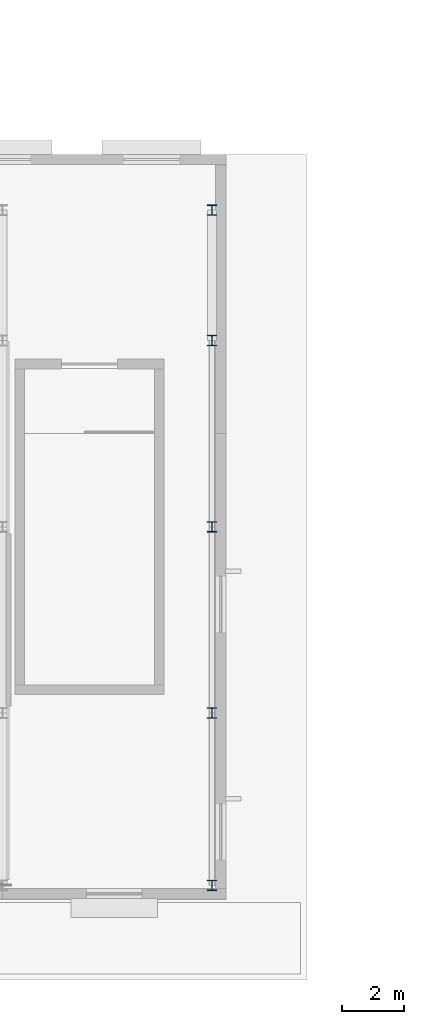
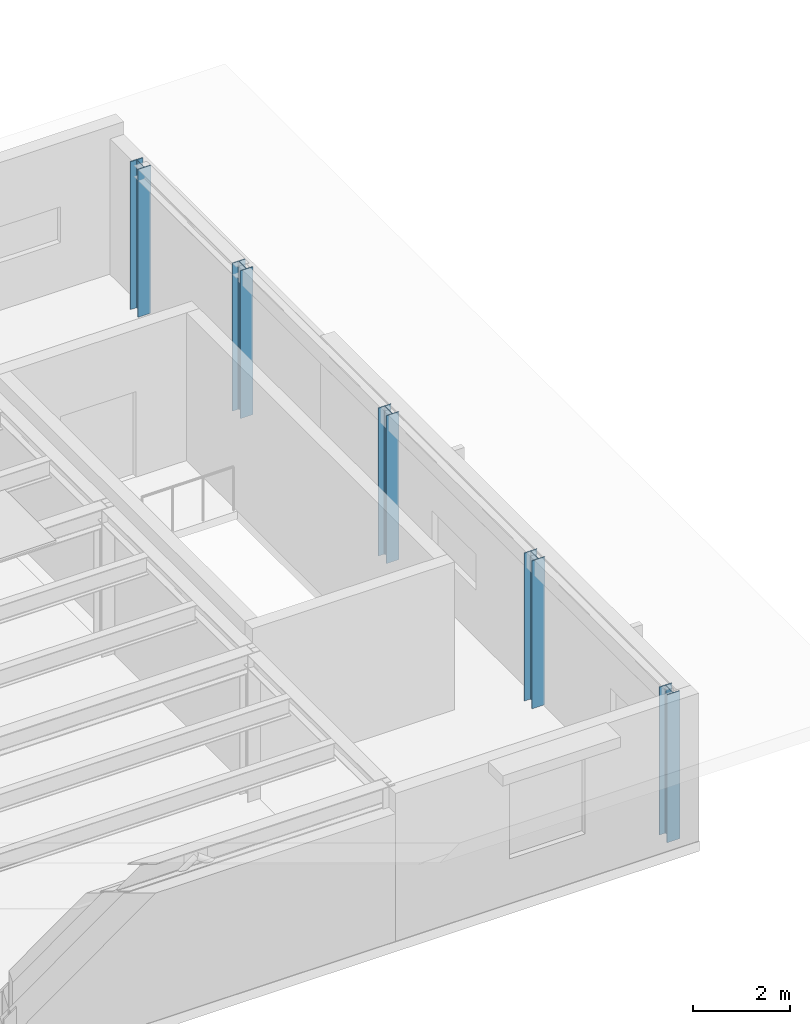
# One storey, part 2 of 10: 5 columns.
"""IFC4 building model written with IfcOpenShell, lengths in metres."""

from ifc_helpers import new_model, si_unit, direction, frame, origin, origin_2d, place, context, subcontext, project, spatial, i_section, extrude, material, material_profile, profile_set, type_object, element, save


model = new_model("IFC4")

# Units and contexts
model_context = context("Model", 3, precision=1e-05, world=origin(), true_north=direction((0.0, 1.0)))
body_context = subcontext(model_context, "Body", "Model", "MODEL_VIEW")
ifc_project = project(units=[si_unit("LENGTHUNIT", "METRE"), si_unit("AREAUNIT", "SQUARE_METRE"), si_unit("VOLUMEUNIT", "CUBIC_METRE"), si_unit("PLANEANGLEUNIT", "RADIAN"), si_unit("MASSUNIT", "GRAM", prefix="KILO")], contexts=[model_context])

# Site, building, storey
site_placement = place(None, origin())
site = spatial("IfcSite", under=ifc_project, at=site_placement, CompositionType="ELEMENT")
building_placement = place(site_placement, origin())
building = spatial("IfcBuilding", under=site, at=building_placement, Name="Kolvaren Corner Interchange", CompositionType="ELEMENT")
storey_placement = place(building_placement, frame((0.0, 0.0, 18.75)))
storey = spatial("IfcBuildingStorey", under=building, at=storey_placement, Name="L05", CompositionType="ELEMENT", Elevation=18.75)

# Columns
ifc_material = material(Name="Steel S355", Category="steel")
ifc_material_profile = material_profile(ifc_material, i_section(OverallWidth=0.300048828125, OverallDepth=0.340087890625, WebThickness=0.011962890625, FlangeThickness=0.021484375, FilletRadius=0.027099609375, at=origin_2d()), Name="HEB 340")
ifc_profile_set = profile_set([ifc_material_profile], Name="Steel S355")
column_type = type_object("IfcColumnType", Name="COL-HEB340", PredefinedType="COLUMN", material=ifc_profile_set)
for number, where, z_axis, x_axis, name in (
    (1, (35.550048828125, 0.449951171875, 0.0), (0.0, 0.0, 1.0), (1.0, 0.0, 0.0), "Storey L05 Structural Column 0191"),
    (2, (35.550048828125, 6.0, 0.0), (0.0, 0.0, 1.0), (1.0, 0.0, 0.0), "Storey L05 Structural Column 0196"),
    (3, (35.550048828125, 12.0, 0.0), (0.0, 0.0, 1.0), (1.0, 0.0, 0.0), "Storey L05 Structural Column 0201"),
    (4, (35.550048828125, 18.0, 0.0), (0.0, 0.0, 1.0), (1.0, 0.0, 0.0), "Storey L05 Structural Column 0206"),
    (5, (35.550048828125, 22.199951171875, 0.0), (0.0, 0.0, 1.0), (1.0, 0.0, 0.0), "Storey L05 Structural Column 0211"),
):
    element("IfcColumn", number, at=place(storey_placement, frame(where, z_axis=z_axis, x_axis=x_axis)), inside=storey, type_object=column_type, Name=name, PredefinedType="COLUMN", context=body_context, shape_type="SweptSolid", body=[
        extrude(i_section(OverallWidth=0.300048828125, OverallDepth=0.340087890625, WebThickness=0.011962890625, FlangeThickness=0.021484375, FilletRadius=0.027099609375, at=origin_2d()), origin(), (0.0, 0.0, 1.0), 3.7099609375),
    ])

save(model, "model.ifc")
